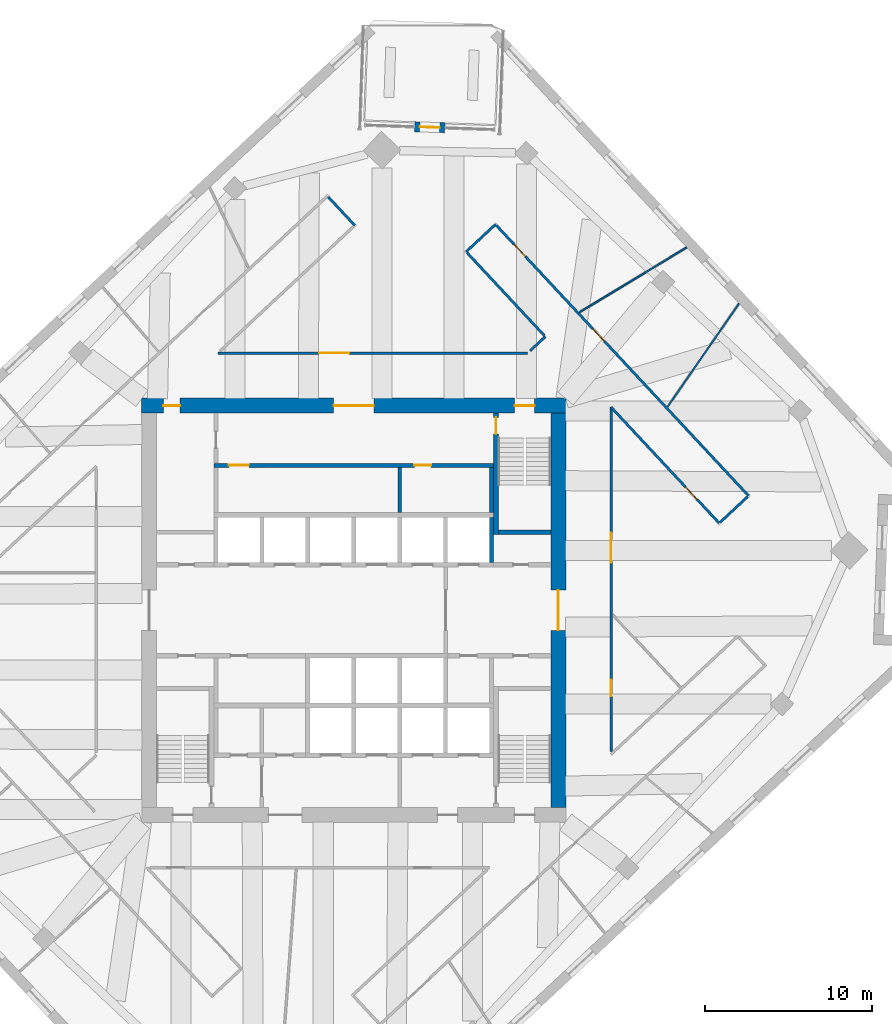
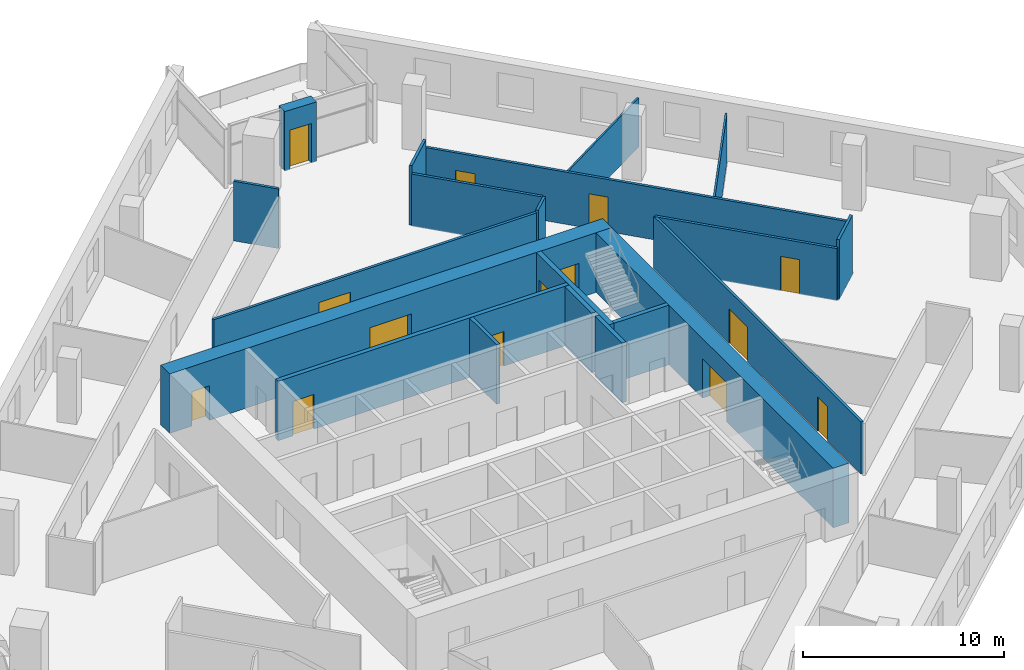
# One storey, part 7 of 10: 20 walls, 14 doors, 14 openings.
"""IFC4 building model written with IfcOpenShell, lengths in metres."""

from ifc_helpers import new_model, si_unit, direction, frame, frame_2d, origin, place, context, subcontext, project, spatial, rectangle, extrude, material, layer, layer_set, type_object, element, fill, save


model = new_model("IFC4")

# Units and contexts
model_context = context("Model", 3, precision=1e-05, world=origin(), true_north=direction((0.0, 1.0)))
body_context = subcontext(model_context, "Body", "Model", "MODEL_VIEW")
ifc_project = project(units=[si_unit("LENGTHUNIT", "METRE"), si_unit("AREAUNIT", "SQUARE_METRE"), si_unit("VOLUMEUNIT", "CUBIC_METRE"), si_unit("PLANEANGLEUNIT", "RADIAN"), si_unit("MASSUNIT", "GRAM", prefix="KILO")], contexts=[model_context])

# Site, building, storey
site_placement = place(None, origin())
site = spatial("IfcSite", under=ifc_project, at=site_placement, CompositionType="ELEMENT")
building_placement = place(site_placement, origin())
building = spatial("IfcBuilding", under=site, at=building_placement, Name="Dilmun Exchange Tower", CompositionType="ELEMENT")
storey_placement = place(building_placement, frame((0.0, 0.0, 201.300048828125)))
storey = spatial("IfcBuildingStorey", under=building, at=storey_placement, Name="L47", CompositionType="ELEMENT", Elevation=201.300048828125)

# Walls
ifc_material_1 = material(Name="Concrete C40/50", Category="concrete")
ifc_layer_1 = layer(ifc_material_1, 0.199951171875)
ifc_layer_set_1 = layer_set([ifc_layer_1], Name="Concrete C40/50")
wall_type_1 = type_object("IfcWallType", Name="Core partition wall 200", PredefinedType="PARTITIONING", material=ifc_layer_set_1)
wall_1_placement = place(storey_placement, frame((2.75, 5.85498046875, 0.0), z_axis=(0.0, 0.0, 1.0), x_axis=(0.0, 1.0, 0.0)))
element("IfcWall", 1, at=wall_1_placement, inside=storey, type_object=wall_type_1, Name="L47 core partition wall 16", PredefinedType="PARTITIONING", context=body_context, shape_type="SweptSolid", body=[
    extrude(rectangle(XDim=2.68994140625, YDim=0.199951171875, at=frame_2d((1.344970703125, 0.0))), origin(), (0.0, 0.0, 1.0), 3.619873046875),
])
ifc_layer_2 = layer(ifc_material_1, 0.25)
ifc_layer_set_2 = layer_set([ifc_layer_2], Name="Concrete C40/50")
wall_type_2 = type_object("IfcWallType", Name="Core partition wall 250", PredefinedType="PARTITIONING", material=ifc_layer_set_2)
wall_2_placement = place(storey_placement, frame((8.25, 5.85498046875, 0.0), z_axis=(0.0, 0.0, 1.0), x_axis=(0.0, 1.0, 0.0)))
element("IfcWall", 2, at=wall_2_placement, inside=storey, type_object=wall_type_2, Name="L47 core partition wall 17", PredefinedType="PARTITIONING", context=body_context, shape_type="SweptSolid", body=[
    extrude(rectangle(XDim=2.68994140625, YDim=0.25, at=frame_2d((1.344970703125, 0.0))), origin(), (0.0, 0.0, 1.0), 3.619873046875),
])

# Wall, openings, doors
wall_3_placement = place(storey_placement, frame((-8.35009765625, 8.675048828125, 0.0), z_axis=(0.0, 0.0, 1.0), x_axis=(1.0, 0.0, 0.0)))
wall_3 = element("IfcWall", 3, at=wall_3_placement, inside=storey, type_object=wall_type_2, Name="L47 core partition wall 18", PredefinedType="PARTITIONING", context=body_context, shape_type="SweptSolid", body=[
    extrude(rectangle(XDim=16.72021484375, YDim=0.25, at=frame_2d((8.360107421875, 0.0))), origin(), (0.0, 0.0, 1.0), 3.619873046875),
])
opening_1_placement = place(wall_3_placement, frame((0.875, 0.0, 0.0)))
opening_1 = element("IfcOpeningElement", 4, at=opening_1_placement, cuts=wall_3, Name="Opening CD3", PredefinedType="OPENING", context=body_context, shape_type="SweptSolid", body=[
    extrude(rectangle(XDim=1.199951171875, YDim=2.10009765625, at=frame_2d((0.60009765625, 1.050048828125))), frame((0.0, 0.135009765625, 0.0), z_axis=(0.0, -1.0, 0.0), x_axis=(1.0, 0.0, 0.0)), (0.0, 0.0, 1.0), 0.27001953125),
])
opening_2_placement = place(wall_3_placement, frame((11.97509765625, 0.0, 0.0)))
opening_2 = element("IfcOpeningElement", 5, at=opening_2_placement, cuts=wall_3, Name="Opening CD4", PredefinedType="OPENING", context=body_context, shape_type="SweptSolid", body=[
    extrude(rectangle(XDim=1.0, YDim=2.10009765625, at=frame_2d((0.5, 1.050048828125))), frame((0.0, 0.135009765625, 0.0), z_axis=(0.0, -1.0, 0.0), x_axis=(1.0, 0.0, 0.0)), (0.0, 0.0, 1.0), 0.27001953125),
])
ifc_material_2 = material(Name="Fire-rated steel door set", Category="steel")
door_type_1 = type_object("IfcDoorType", Name="Core room door 1000x2100", OperationType="SINGLE_SWING_LEFT", PredefinedType="DOOR", material=ifc_material_2)
door_1_placement = place(opening_2_placement, origin())
door_1 = element("IfcDoor", 6, at=door_1_placement, inside=storey, type_object=door_type_1, Name="L47 door Mechanical room", OperationType="SINGLE_SWING_RIGHT", OverallHeight=2.10009765625, OverallWidth=1.0, PredefinedType="DOOR", context=body_context, shape_type="SweptSolid", body=[
    extrude(rectangle(XDim=1.0, YDim=2.10009765625, at=frame_2d((0.5, 1.050048828125))), frame((0.0, 0.02490234375, 0.0), z_axis=(0.0, -1.0, 0.0), x_axis=(1.0, 0.0, 0.0)), (0.0, 0.0, 1.0), 0.050048828125),
])
fill(opening_2, door_1)
door_type_2 = type_object("IfcDoorType", Name="Stair exit door 1200x2100", OperationType="SINGLE_SWING_LEFT", PredefinedType="DOOR", material=ifc_material_2)
door_2_placement = place(opening_1_placement, origin())
door_2 = element("IfcDoor", 7, at=door_2_placement, inside=storey, type_object=door_type_2, Name="L47 door Quiet working room", OperationType="SINGLE_SWING_LEFT", OverallHeight=2.10009765625, OverallWidth=1.199951171875, PredefinedType="DOOR", context=body_context, shape_type="SweptSolid", body=[
    extrude(rectangle(XDim=1.199951171875, YDim=2.10009765625, at=frame_2d((0.60009765625, 1.050048828125))), frame((0.0, 0.02490234375, 0.0), z_axis=(0.0, -1.0, 0.0), x_axis=(1.0, 0.0, 0.0)), (0.0, 0.0, 1.0), 0.050048828125),
])
fill(opening_1, door_2)

ifc_material_3 = material(Name="Concrete C60/75", Category="concrete")
ifc_layer_3 = layer(ifc_material_3, 0.89990234375)
ifc_layer_set_3 = layer_set([ifc_layer_3], Name="Concrete C60/75")
wall_type_3 = type_object("IfcWallType", Name="Core shear wall 900 Concrete C60/75", PredefinedType="SHEAR", material=ifc_layer_set_3)
wall_4_placement = place(storey_placement, frame((-12.699951171875, 12.25, 0.0), z_axis=(0.0, 0.0, 1.0), x_axis=(1.0, 0.0, 0.0)))
wall_4 = element("IfcWall", 8, at=wall_4_placement, inside=storey, type_object=wall_type_3, Name="L47 core shear wall N", PredefinedType="SHEAR", context=body_context, shape_type="SweptSolid", body=[
    extrude(rectangle(XDim=25.39990234375, YDim=0.89990234375, at=frame_2d((12.699951171875, 0.0))), origin(), (0.0, 0.0, 1.0), 3.619873046875),
])
opening_3_placement = place(wall_4_placement, frame((11.5, 0.0, 0.0)))
opening_3 = element("IfcOpeningElement", 9, at=opening_3_placement, cuts=wall_4, Name="Opening CD1", PredefinedType="OPENING", context=body_context, shape_type="SweptSolid", body=[
    extrude(rectangle(XDim=2.39990234375, YDim=2.39990234375, at=frame_2d((1.199951171875, 1.199951171875))), frame((0.0, 0.4599609375, 0.0), z_axis=(0.0, -1.0, 0.0), x_axis=(1.0, 0.0, 0.0)), (0.0, 0.0, 1.0), 0.919921875),
])
opening_4_placement = place(wall_4_placement, frame((22.324951171875, 0.0, 0.0)))
opening_4 = element("IfcOpeningElement", 10, at=opening_4_placement, cuts=wall_4, Name="Opening CD3", PredefinedType="OPENING", context=body_context, shape_type="SweptSolid", body=[
    extrude(rectangle(XDim=1.199951171875, YDim=2.10009765625, at=frame_2d((0.60009765625, 1.050048828125))), frame((0.0, 0.4599609375, 0.0), z_axis=(0.0, -1.0, 0.0), x_axis=(1.0, 0.0, 0.0)), (0.0, 0.0, 1.0), 0.919921875),
])
opening_5_placement = place(wall_4_placement, frame((1.300048828125, 0.0, 0.0)))
opening_5 = element("IfcOpeningElement", 11, at=opening_5_placement, cuts=wall_4, Name="Opening CD4", PredefinedType="OPENING", context=body_context, shape_type="SweptSolid", body=[
    extrude(rectangle(XDim=1.0, YDim=2.10009765625, at=frame_2d((0.5, 1.050048828125))), frame((0.0, 0.4599609375, 0.0), z_axis=(0.0, -1.0, 0.0), x_axis=(1.0, 0.0, 0.0)), (0.0, 0.0, 1.0), 0.919921875),
])
door_type_3 = type_object("IfcDoorType", Name="Core lobby door 2400x2400", OperationType="DOUBLE_DOOR_DOUBLE_SWING", PredefinedType="DOOR", material=ifc_material_2)
door_3_placement = place(opening_3_placement, origin())
door_3 = element("IfcDoor", 12, at=door_3_placement, inside=storey, type_object=door_type_3, Name="L47 door North lift lobby", OperationType="SINGLE_SWING_LEFT", OverallHeight=2.39990234375, OverallWidth=2.39990234375, PredefinedType="DOOR", context=body_context, shape_type="SweptSolid", body=[
    extrude(rectangle(XDim=2.39990234375, YDim=2.39990234375, at=frame_2d((1.199951171875, 1.199951171875))), frame((0.0, 0.02490234375, 0.0), z_axis=(0.0, -1.0, 0.0), x_axis=(1.0, 0.0, 0.0)), (0.0, 0.0, 1.0), 0.050048828125),
])
fill(opening_3, door_3)
door_4_placement = place(opening_5_placement, origin())
door_4 = element("IfcDoor", 13, at=door_4_placement, inside=storey, type_object=door_type_1, Name="L47 door North-west core rooms", OperationType="SINGLE_SWING_LEFT", OverallHeight=2.10009765625, OverallWidth=1.0, PredefinedType="DOOR", context=body_context, shape_type="SweptSolid", body=[
    extrude(rectangle(XDim=1.0, YDim=2.10009765625, at=frame_2d((0.5, 1.050048828125))), frame((0.0, 0.02490234375, 0.0), z_axis=(0.0, -1.0, 0.0), x_axis=(1.0, 0.0, 0.0)), (0.0, 0.0, 1.0), 0.050048828125),
])
fill(opening_5, door_4)
door_5_placement = place(opening_4_placement, origin())
door_5 = element("IfcDoor", 14, at=door_5_placement, inside=storey, type_object=door_type_2, Name="L47 door Stair ST1", OperationType="SINGLE_SWING_LEFT", OverallHeight=2.10009765625, OverallWidth=1.199951171875, PredefinedType="DOOR", context=body_context, shape_type="SweptSolid", body=[
    extrude(rectangle(XDim=1.199951171875, YDim=2.10009765625, at=frame_2d((0.60009765625, 1.050048828125))), frame((0.0, 0.02490234375, 0.0), z_axis=(0.0, -1.0, 0.0), x_axis=(1.0, 0.0, 0.0)), (0.0, 0.0, 1.0), 0.050048828125),
])
fill(opening_4, door_5)

# Wall, opening, door
wall_5_placement = place(storey_placement, frame((12.25, -11.800048828125, 0.0), z_axis=(0.0, 0.0, 1.0), x_axis=(0.0, 1.0, 0.0)))
wall_5 = element("IfcWall", 15, at=wall_5_placement, inside=storey, type_object=wall_type_3, Name="L47 core shear wall E", PredefinedType="SHEAR", context=body_context, shape_type="SweptSolid", body=[
    extrude(rectangle(XDim=23.60009765625, YDim=0.89990234375, at=frame_2d((11.800048828125, 0.0))), origin(), (0.0, 0.0, 1.0), 3.619873046875),
])
opening_6_placement = place(wall_5_placement, frame((10.60009765625, 0.0, 0.0)))
opening_6 = element("IfcOpeningElement", 16, at=opening_6_placement, cuts=wall_5, Name="Opening CD1", PredefinedType="OPENING", context=body_context, shape_type="SweptSolid", body=[
    extrude(rectangle(XDim=2.39990234375, YDim=2.39990234375, at=frame_2d((1.199951171875, 1.199951171875))), frame((0.0, 0.4599609375, 0.0), z_axis=(0.0, -1.0, 0.0), x_axis=(1.0, 0.0, 0.0)), (0.0, 0.0, 1.0), 0.919921875),
])
door_6_placement = place(opening_6_placement, origin())
door_6 = element("IfcDoor", 17, at=door_6_placement, inside=storey, type_object=door_type_3, Name="L47 door Central lift lobby", OperationType="SINGLE_SWING_LEFT", OverallHeight=2.39990234375, OverallWidth=2.39990234375, PredefinedType="DOOR", context=body_context, shape_type="SweptSolid", body=[
    extrude(rectangle(XDim=2.39990234375, YDim=2.39990234375, at=frame_2d((1.199951171875, 1.199951171875))), frame((0.0, 0.02490234375, 0.0), z_axis=(0.0, -1.0, 0.0), x_axis=(1.0, 0.0, 0.0)), (0.0, 0.0, 1.0), 0.050048828125),
])
fill(opening_6, door_6)

ifc_material_4 = material(Name="Corridor wall 150")
ifc_layer_4 = layer(ifc_material_4, 0.14990234375)
ifc_layer_set_4 = layer_set([ifc_layer_4], Name="Corridor wall 150")
wall_type_4 = type_object("IfcWallType", Name="Corridor wall 150", PredefinedType="PARTITIONING", material=ifc_layer_set_4)
wall_6_placement = place(storey_placement, frame((-8.12890625, 15.39990234375, 0.0), z_axis=(0.0, 0.0, 1.0), x_axis=(1.0, 0.0, 0.0)))
wall_6 = element("IfcWall", 18, at=wall_6_placement, inside=storey, type_object=wall_type_4, Name="Corridor wall", PredefinedType="PARTITIONING", context=body_context, shape_type="SweptSolid", body=[
    extrude(rectangle(XDim=18.5439453125, YDim=0.14990234375, at=frame_2d((9.27197265625, 0.0))), origin(), (0.0, 0.0, 1.0), 3.169921875),
])
opening_7_placement = place(wall_6_placement, frame((6.050048828125, 0.0, 0.0)))
opening_7 = element("IfcOpeningElement", 19, at=opening_7_placement, cuts=wall_6, Name="Opening TF46-D11", PredefinedType="OPENING", context=body_context, shape_type="SweptSolid", body=[
    extrude(rectangle(XDim=1.800048828125, YDim=2.10009765625, at=frame_2d((0.89990234375, 1.050048828125))), frame((0.0, 0.0849609375, 0.0), z_axis=(0.0, -1.0, 0.0), x_axis=(1.0, 0.0, 0.0)), (0.0, 0.0, 1.0), 0.169921875),
])
ifc_material_5 = material(Name="Fire door pair 1800 x 2100")
door_type_4 = type_object("IfcDoorType", Name="Fire door pair 1800 x 2100", OperationType="NOTDEFINED", PredefinedType="DOOR", material=ifc_material_5)
door_7_placement = place(opening_7_placement, origin())
door_7 = element("IfcDoor", 20, at=door_7_placement, inside=storey, type_object=door_type_4, Name="Door TF46-D11", OperationType="DOUBLE_DOOR_SINGLE_SWING", OverallHeight=2.10009765625, OverallWidth=1.800048828125, PredefinedType="DOOR", context=body_context, shape_type="SweptSolid", body=[
    extrude(rectangle(XDim=1.800048828125, YDim=2.10009765625, at=frame_2d((0.89990234375, 1.050048828125))), frame((0.0, 0.02490234375, 0.0), z_axis=(0.0, -1.0, 0.0), x_axis=(1.0, 0.0, 0.0)), (0.0, 0.0, 1.0), 0.050048828125),
])
fill(opening_7, door_7)

# Walls
wall_7_placement = place(storey_placement, frame((-1.52490234375, 24.738037109375, 0.0), z_axis=(0.0, 0.0, 1.0), x_axis=(0.682161090026, -0.731201919619, 0.0)))
element("IfcWall", 21, at=wall_7_placement, inside=storey, type_object=wall_type_4, Name="Corridor wall", PredefinedType="PARTITIONING", context=body_context, shape_type="SweptSolid", body=[
    extrude(rectangle(XDim=2.324951171875, YDim=0.14990234375, at=frame_2d((1.16259765625, 0.0))), origin(), (0.0, 0.0, 1.0), 3.619873046875),
])
wall_8_placement = place(storey_placement, frame((6.72900390625, 21.4609375, 0.0), z_axis=(0.0, 0.0, 1.0), x_axis=(0.731451066601, 0.681893933958, 0.0)))
element("IfcWall", 22, at=wall_8_placement, inside=storey, type_object=wall_type_4, Name="Corridor wall", PredefinedType="PARTITIONING", context=body_context, shape_type="SweptSolid", body=[
    extrude(rectangle(XDim=2.399169921875, YDim=0.14990234375, at=frame_2d((1.19970703125, 0.0))), origin(), (0.0, 0.0, 1.0), 3.619873046875),
])
wall_9_placement = place(storey_placement, frame((6.780029296875, 21.406005859375, 0.0), z_axis=(0.0, 0.0, 1.0), x_axis=(0.681923958899, -0.731423074752, 0.0)))
element("IfcWall", 23, at=wall_9_placement, inside=storey, type_object=wall_type_4, Name="Corridor wall", PredefinedType="PARTITIONING", context=body_context, shape_type="SweptSolid", body=[
    extrude(rectangle(XDim=6.796630859375, YDim=0.14990234375, at=frame_2d((3.3984375, 0.0))), origin(), (0.0, 0.0, 1.0), 3.169921875),
])

# Wall, openings, doors
wall_10_placement = place(storey_placement, frame((8.53515625, 23.0419921875, 0.0), z_axis=(0.0, 0.0, 1.0), x_axis=(0.68201130552, -0.73134162957, 0.0)))
wall_10 = element("IfcWall", 24, at=wall_10_placement, inside=storey, type_object=wall_type_4, Name="Corridor wall", PredefinedType="PARTITIONING", context=body_context, shape_type="SweptSolid", body=[
    extrude(rectangle(XDim=22.13720703125, YDim=0.14990234375, at=frame_2d((11.068603515625, 0.0))), origin(), (0.0, 0.0, 1.0), 3.169921875),
])
opening_8_placement = place(wall_10_placement, frame((1.550048828125, 0.0, 0.0)))
opening_8 = element("IfcOpeningElement", 25, at=opening_8_placement, cuts=wall_10, Name="Opening TF46-D12", PredefinedType="OPENING", context=body_context, shape_type="SweptSolid", body=[
    extrude(rectangle(XDim=1.0, YDim=2.10009765625, at=frame_2d((0.5, 1.050048828125))), frame((0.0, 0.0849609375, 0.0), z_axis=(0.0, -1.0, 0.0), x_axis=(1.0, 0.0, 0.0)), (0.0, 0.0, 1.0), 0.169921875),
])
opening_9_placement = place(wall_10_placement, frame((8.484619140625, 0.0, 0.0)))
opening_9 = element("IfcOpeningElement", 26, at=opening_9_placement, cuts=wall_10, Name="Opening TF46-D16", PredefinedType="OPENING", context=body_context, shape_type="SweptSolid", body=[
    extrude(rectangle(XDim=1.0, YDim=2.10009765625, at=frame_2d((0.5, 1.050048828125))), frame((0.0, 0.0849609375, 0.0), z_axis=(0.0, -1.0, 0.0), x_axis=(1.0, 0.0, 0.0)), (0.0, 0.0, 1.0), 0.169921875),
])
ifc_material_6 = material(Name="Fire door 1000 x 2100")
door_type_5 = type_object("IfcDoorType", Name="Fire door 1000 x 2100", OperationType="NOTDEFINED", PredefinedType="DOOR", material=ifc_material_6)
door_8_placement = place(opening_8_placement, origin())
door_8 = element("IfcDoor", 27, at=door_8_placement, inside=storey, type_object=door_type_5, Name="Door TF46-D12", OperationType="SINGLE_SWING_RIGHT", OverallHeight=2.10009765625, OverallWidth=1.0, PredefinedType="DOOR", context=body_context, shape_type="SweptSolid", body=[
    extrude(rectangle(XDim=1.0, YDim=2.10009765625, at=frame_2d((0.5, 1.050048828125))), frame((0.0, 0.02490234375, 0.0), z_axis=(0.0, -1.0, 0.0), x_axis=(1.0, 0.0, 0.0)), (0.0, 0.0, 1.0), 0.050048828125),
])
fill(opening_8, door_8)
door_9_placement = place(opening_9_placement, origin())
door_9 = element("IfcDoor", 28, at=door_9_placement, inside=storey, type_object=door_type_5, Name="Door TF46-D16", OperationType="SINGLE_SWING_RIGHT", OverallHeight=2.10009765625, OverallWidth=1.0, PredefinedType="DOOR", context=body_context, shape_type="SweptSolid", body=[
    extrude(rectangle(XDim=1.0, YDim=2.10009765625, at=frame_2d((0.5, 1.050048828125))), frame((0.0, 0.02490234375, 0.0), z_axis=(0.0, -1.0, 0.0), x_axis=(1.0, 0.0, 0.0)), (0.0, 0.0, 1.0), 0.050048828125),
])
fill(opening_9, door_9)

# Wall
wall_11_placement = place(storey_placement, frame((10.55419921875, 15.52978515625, 0.0), z_axis=(0.0, 0.0, 1.0), x_axis=(0.731445889193, 0.681899487596, 0.0)))
element("IfcWall", 29, at=wall_11_placement, inside=storey, type_object=wall_type_4, Name="Corridor wall", PredefinedType="PARTITIONING", context=body_context, shape_type="SweptSolid", body=[
    extrude(rectangle(XDim=1.24658203125, YDim=0.14990234375, at=frame_2d((0.623291015625, 0.0))), origin(), (0.0, 0.0, 1.0), 3.169921875),
])

# Wall, openings, doors
wall_12_placement = place(storey_placement, frame((15.39990234375, -8.447509765625, 0.0), z_axis=(0.0, 0.0, 1.0), x_axis=(0.0, 1.0, 0.0)))
wall_12 = element("IfcWall", 30, at=wall_12_placement, inside=storey, type_object=wall_type_4, Name="Corridor wall", PredefinedType="PARTITIONING", context=body_context, shape_type="SweptSolid", body=[
    extrude(rectangle(XDim=20.6083984375, YDim=0.14990234375, at=frame_2d((10.30419921875, 0.0))), origin(), (0.0, 0.0, 1.0), 3.169921875),
])
opening_10_placement = place(wall_12_placement, frame((3.300048828125, 0.0, 0.0)))
opening_10 = element("IfcOpeningElement", 31, at=opening_10_placement, cuts=wall_12, Name="Opening TF46-D15", PredefinedType="OPENING", context=body_context, shape_type="SweptSolid", body=[
    extrude(rectangle(XDim=1.0, YDim=2.10009765625, at=frame_2d((0.5, 1.050048828125))), frame((0.0, 0.0849609375, 0.0), z_axis=(0.0, -1.0, 0.0), x_axis=(1.0, 0.0, 0.0)), (0.0, 0.0, 1.0), 0.169921875),
])
opening_11_placement = place(wall_12_placement, frame((11.2978515625, 0.0, 0.0)))
opening_11 = element("IfcOpeningElement", 32, at=opening_11_placement, cuts=wall_12, Name="Opening TF46-D17", PredefinedType="OPENING", context=body_context, shape_type="SweptSolid", body=[
    extrude(rectangle(XDim=1.800048828125, YDim=2.10009765625, at=frame_2d((0.89990234375, 1.050048828125))), frame((0.0, 0.0849609375, 0.0), z_axis=(0.0, -1.0, 0.0), x_axis=(1.0, 0.0, 0.0)), (0.0, 0.0, 1.0), 0.169921875),
])
door_10_placement = place(opening_10_placement, frame((1.0, 0.0, 0.0), z_axis=(0.0, 0.0, 1.0), x_axis=(-1.0, 0.0, 0.0)))
door_10 = element("IfcDoor", 33, at=door_10_placement, inside=storey, type_object=door_type_5, Name="Door TF46-D15", OperationType="SINGLE_SWING_RIGHT", OverallHeight=2.10009765625, OverallWidth=1.0, PredefinedType="DOOR", context=body_context, shape_type="SweptSolid", body=[
    extrude(rectangle(XDim=1.0, YDim=2.10009765625, at=frame_2d((0.5, 1.050048828125))), frame((0.0, 0.02490234375, 0.0), z_axis=(0.0, -1.0, 0.0), x_axis=(1.0, 0.0, 0.0)), (0.0, 0.0, 1.0), 0.050048828125),
])
fill(opening_10, door_10)
door_11_placement = place(opening_11_placement, frame((1.800048828125, 0.0, 0.0), z_axis=(0.0, 0.0, 1.0), x_axis=(-1.0, 0.0, 0.0)))
door_11 = element("IfcDoor", 34, at=door_11_placement, inside=storey, type_object=door_type_4, Name="Door TF46-D17", OperationType="DOUBLE_DOOR_SINGLE_SWING", OverallHeight=2.10009765625, OverallWidth=1.800048828125, PredefinedType="DOOR", context=body_context, shape_type="SweptSolid", body=[
    extrude(rectangle(XDim=1.800048828125, YDim=2.10009765625, at=frame_2d((0.89990234375, 1.050048828125))), frame((0.0, 0.02490234375, 0.0), z_axis=(0.0, -1.0, 0.0), x_axis=(1.0, 0.0, 0.0)), (0.0, 0.0, 1.0), 0.050048828125),
])
fill(opening_11, door_11)

# Wall, opening, door
wall_13_placement = place(storey_placement, frame((15.39990234375, 12.162109375, 0.0), z_axis=(0.0, 0.0, 1.0), x_axis=(0.681988505996, -0.73136289056, 0.0)))
wall_13 = element("IfcWall", 35, at=wall_13_placement, inside=storey, type_object=wall_type_4, Name="Corridor wall", PredefinedType="PARTITIONING", context=body_context, shape_type="SweptSolid", body=[
    extrude(rectangle(XDim=9.498779296875, YDim=0.14990234375, at=frame_2d((4.74951171875, 0.0))), origin(), (0.0, 0.0, 1.0), 3.169921875),
])
opening_12_placement = place(wall_13_placement, frame((6.550537109375, 0.0, 0.0)))
opening_12 = element("IfcOpeningElement", 36, at=opening_12_placement, cuts=wall_13, Name="Opening TF46-D18", PredefinedType="OPENING", context=body_context, shape_type="SweptSolid", body=[
    extrude(rectangle(XDim=1.0, YDim=2.10009765625, at=frame_2d((0.5, 1.050048828125))), frame((0.0, 0.0849609375, 0.0), z_axis=(0.0, -1.0, 0.0), x_axis=(1.0, 0.0, 0.0)), (0.0, 0.0, 1.0), 0.169921875),
])
door_12_placement = place(opening_12_placement, frame((1.0, 0.0, 0.0), z_axis=(0.0, 0.0, 1.0), x_axis=(-1.0, 0.0, 0.0)))
door_12 = element("IfcDoor", 37, at=door_12_placement, inside=storey, type_object=door_type_5, Name="Door TF46-D18", OperationType="SINGLE_SWING_RIGHT", OverallHeight=2.10009765625, OverallWidth=1.0, PredefinedType="DOOR", context=body_context, shape_type="SweptSolid", body=[
    extrude(rectangle(XDim=1.0, YDim=2.10009765625, at=frame_2d((0.5, 1.050048828125))), frame((0.0, 0.02490234375, 0.0), z_axis=(0.0, -1.0, 0.0), x_axis=(1.0, 0.0, 0.0)), (0.0, 0.0, 1.0), 0.050048828125),
])
fill(opening_12, door_12)

# Walls
wall_14_placement = place(storey_placement, frame((21.932861328125, 5.26611328125, 0.0), z_axis=(0.0, 0.0, 1.0), x_axis=(0.731257309388, 0.682101713431, 0.0)))
element("IfcWall", 38, at=wall_14_placement, inside=storey, type_object=wall_type_4, Name="Corridor wall", PredefinedType="PARTITIONING", context=body_context, shape_type="SweptSolid", body=[
    extrude(rectangle(XDim=2.25, YDim=0.14990234375, at=frame_2d((1.125, 0.0))), origin(), (0.0, 0.0, 1.0), 3.619873046875),
])
ifc_layer_5 = layer(ifc_material_1, 0.25)
ifc_layer_set_5 = layer_set([ifc_layer_5], Name="Concrete C40/50")
wall_type_5 = type_object("IfcWallType", Name="Lift shaft wall 250", PredefinedType="SOLIDWALL", material=ifc_layer_set_5)
wall_15_placement = place(storey_placement, frame((8.25, 2.85009765625, 0.0), z_axis=(0.0, 0.0, 1.0), x_axis=(0.0, 1.0, 0.0)))
element("IfcWall", 39, at=wall_15_placement, inside=storey, type_object=wall_type_5, Name="L47 lift shaft divider N16", PredefinedType="SOLIDWALL", context=body_context, shape_type="SweptSolid", body=[
    extrude(rectangle(XDim=2.699951171875, YDim=0.25, at=frame_2d((1.35009765625, 0.0))), origin(), (0.0, 0.0, 1.0), 3.619873046875),
])
ifc_material_7 = material(Name="Partition 100")
ifc_layer_6 = layer(ifc_material_7, 0.10009765625)
ifc_layer_set_6 = layer_set([ifc_layer_6], Name="Partition 100")
wall_type_6 = type_object("IfcWallType", Name="Partition 100", PredefinedType="PARTITIONING", material=ifc_layer_set_6)
wall_16_placement = place(storey_placement, frame((13.509521484375, 17.8330078125, 0.0), z_axis=(0.0, 0.0, 1.0), x_axis=(0.855459551992, 0.517869631186, 0.0)))
element("IfcWall", 40, at=wall_16_placement, inside=storey, type_object=wall_type_6, Name="Partition", PredefinedType="PARTITIONING", context=body_context, shape_type="SweptSolid", body=[
    extrude(rectangle(XDim=7.5146484375, YDim=0.10009765625, at=frame_2d((3.75732421875, 0.0))), origin(), (0.0, 0.0, 1.0), 2.969970703125),
])
wall_17_placement = place(storey_placement, frame((18.782958984375, 12.17919921875, 0.0), z_axis=(0.0, 0.0, 1.0), x_axis=(0.568978927241, 0.822352102421, 0.0)))
element("IfcWall", 41, at=wall_17_placement, inside=storey, type_object=wall_type_6, Name="Partition", PredefinedType="PARTITIONING", context=body_context, shape_type="SweptSolid", body=[
    extrude(rectangle(XDim=7.5283203125, YDim=0.10009765625, at=frame_2d((3.76416015625, 0.0))), origin(), (0.0, 0.0, 1.0), 2.969970703125),
])

# Wall, opening, door
ifc_material_8 = material(Name="Precast concrete C50/60", Category="concrete")
ifc_layer_7 = layer(ifc_material_8, 0.60009765625)
ifc_layer_set_7 = layer_set([ifc_layer_7], Name="Precast concrete C50/60")
wall_type_7 = type_object("IfcWallType", Name="Precast stone-clad wall 600", PredefinedType="STANDARD", material=ifc_layer_set_7)
wall_18_placement = place(storey_placement, frame((5.44677734375, 28.8828125, 0.0), z_axis=(0.0, 0.0, 1.0), x_axis=(-0.999387493042, 0.034994838926, 0.0)))
wall_18 = element("IfcWall", 42, at=wall_18_placement, inside=storey, type_object=wall_type_7, Name="Facade wall L47-01-D", PredefinedType="STANDARD", context=body_context, shape_type="SweptSolid", body=[
    extrude(rectangle(XDim=1.800048828125, YDim=0.60009765625, at=frame_2d((0.89990234375, 0.0))), origin(), (0.0, 0.0, 1.0), 3.619873046875),
])
opening_13_placement = place(wall_18_placement, frame((0.300048828125, 0.0, 0.0)))
opening_13 = element("IfcOpeningElement", 43, at=opening_13_placement, cuts=wall_18, Name="Opening GD-1", PredefinedType="OPENING", context=body_context, shape_type="SweptSolid", body=[
    extrude(rectangle(XDim=1.199951171875, YDim=2.39990234375, at=frame_2d((0.60009765625, 1.199951171875))), frame((0.0, 0.31005859375, 0.0), z_axis=(0.0, -1.0, 0.0), x_axis=(1.0, 0.0, 0.0)), (0.0, 0.0, 1.0), 0.6201171875),
])
ifc_material_9 = material(Name="Clear low-emissivity glass in aluminium frame", Category="aluminium")
door_type_6 = type_object("IfcDoorType", Name="Glazed garden door 1200 x 2400", OperationType="SINGLE_SWING_LEFT", PredefinedType="DOOR", material=ifc_material_9)
door_13_placement = place(opening_13_placement, origin())
door_13 = element("IfcDoor", 44, at=door_13_placement, inside=storey, type_object=door_type_6, Name="Garden terrace door", OperationType="SINGLE_SWING_LEFT", OverallHeight=2.39990234375, OverallWidth=1.199951171875, PredefinedType="DOOR", context=body_context, shape_type="SweptSolid", body=[
    extrude(rectangle(XDim=1.199951171875, YDim=2.39990234375, at=frame_2d((0.60009765625, 1.199951171875))), frame((0.0, 0.02490234375, 0.0), z_axis=(0.0, -1.0, 0.0), x_axis=(1.0, 0.0, 0.0)), (0.0, 0.0, 1.0), 0.050048828125),
])
fill(opening_13, door_13)

# Wall
ifc_layer_8 = layer(ifc_material_1, 0.25)
ifc_layer_set_8 = layer_set([ifc_layer_8], Name="Concrete C40/50")
wall_type_8 = type_object("IfcWallType", Name="Stair end wall 250", PredefinedType="SOLIDWALL", material=ifc_layer_set_8)
wall_19_placement = place(storey_placement, frame((8.64990234375, 4.675048828125, 0.0), z_axis=(0.0, 0.0, 1.0), x_axis=(1.0, 0.0, 0.0)))
element("IfcWall", 45, at=wall_19_placement, inside=storey, type_object=wall_type_8, Name="L47 ST1 far wall", PredefinedType="SOLIDWALL", context=body_context, shape_type="SweptSolid", body=[
    extrude(rectangle(XDim=3.150146484375, YDim=0.25, at=frame_2d((1.5751953125, 0.0))), origin(), (0.0, 0.0, 1.0), 3.619873046875),
])

# Wall, opening, door
ifc_layer_9 = layer(ifc_material_1, 0.27490234375)
ifc_layer_set_9 = layer_set([ifc_layer_9], Name="Concrete C40/50")
wall_type_9 = type_object("IfcWallType", Name="Stair wall 275", PredefinedType="SOLIDWALL", material=ifc_layer_set_9)
wall_20_placement = place(storey_placement, frame((8.512451171875, 4.550048828125, 0.0), z_axis=(0.0, 0.0, 1.0), x_axis=(0.0, 1.0, 0.0)))
wall_20 = element("IfcWall", 46, at=wall_20_placement, inside=storey, type_object=wall_type_9, Name="L47 ST1 wall to lift block", PredefinedType="SOLIDWALL", context=body_context, shape_type="SweptSolid", body=[
    extrude(rectangle(XDim=7.25, YDim=0.27490234375, at=frame_2d((3.625, 0.0))), origin(), (0.0, 0.0, 1.0), 3.619873046875),
])
opening_14_placement = place(wall_20_placement, frame((6.0, 0.0, 0.0)))
opening_14 = element("IfcOpeningElement", 47, at=opening_14_placement, cuts=wall_20, Name="Opening CD4", PredefinedType="OPENING", context=body_context, shape_type="SweptSolid", body=[
    extrude(rectangle(XDim=1.0, YDim=2.10009765625, at=frame_2d((0.5, 1.050048828125))), frame((0.0, 0.1474609375, 0.0), z_axis=(0.0, -1.0, 0.0), x_axis=(1.0, 0.0, 0.0)), (0.0, 0.0, 1.0), 0.294921875),
])
door_14_placement = place(opening_14_placement, origin())
door_14 = element("IfcDoor", 48, at=door_14_placement, inside=storey, type_object=door_type_1, Name="L47 door ST1 from lobby", OperationType="SINGLE_SWING_LEFT", OverallHeight=2.10009765625, OverallWidth=1.0, PredefinedType="DOOR", context=body_context, shape_type="SweptSolid", body=[
    extrude(rectangle(XDim=1.0, YDim=2.10009765625, at=frame_2d((0.5, 1.050048828125))), frame((0.0, 0.02490234375, 0.0), z_axis=(0.0, -1.0, 0.0), x_axis=(1.0, 0.0, 0.0)), (0.0, 0.0, 1.0), 0.050048828125),
])
fill(opening_14, door_14)

save(model, "model.ifc")
